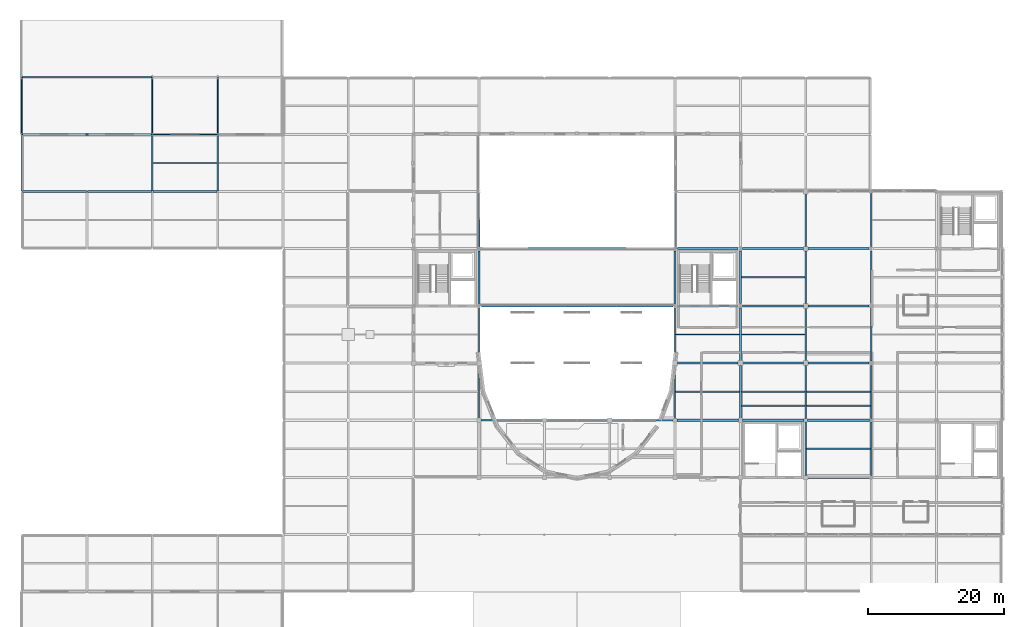
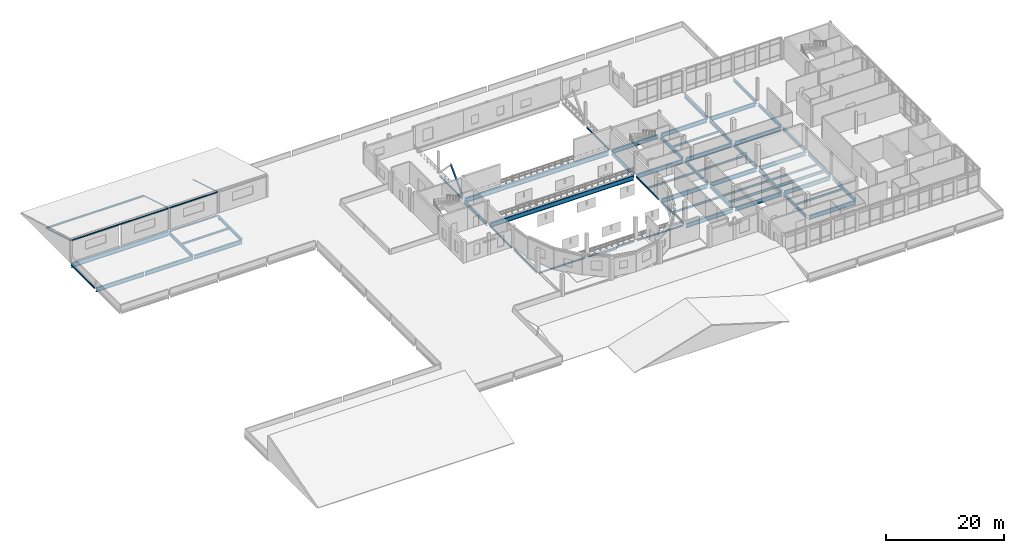
# One storey, part 15 of 52: 60 beams, 4 members.
"""IFC4 building model written with IfcOpenShell, lengths in metres."""

from ifc_helpers import new_model, si_unit, direction, frame, origin, origin_2d, place, context, subcontext, project, spatial, hollow_rectangle, i_section, extrude, material, material_profile, profile_set, type_object, element, save


model = new_model("IFC4")

# Units and contexts
model_context = context("Model", 3, precision=1e-05, world=origin(), true_north=direction((0.0, 1.0)))
body_context = subcontext(model_context, "Body", "Model", "MODEL_VIEW")
ifc_project = project(units=[si_unit("LENGTHUNIT", "METRE"), si_unit("AREAUNIT", "SQUARE_METRE"), si_unit("VOLUMEUNIT", "CUBIC_METRE"), si_unit("PLANEANGLEUNIT", "RADIAN"), si_unit("MASSUNIT", "GRAM", prefix="KILO")], contexts=[model_context])

# Site, building, storey
site_placement = place(None, origin())
site = spatial("IfcSite", under=ifc_project, at=site_placement, CompositionType="ELEMENT")
building_placement = place(site_placement, origin())
building = spatial("IfcBuilding", under=site, at=building_placement, Name="Lornevale Opera House", CompositionType="ELEMENT")
storey_placement = place(building_placement, frame((0.0, 0.0, 15.0)))
storey = spatial("IfcBuildingStorey", under=building, at=storey_placement, Name="L04", CompositionType="ELEMENT", Elevation=15.0)

# Beams
ifc_material = material(Name="Structural Steel CSA G40.21 Grade 350W (350 MPa)", Category="steel")
ifc_material_profile_1 = material_profile(ifc_material, i_section(OverallWidth=0.208984375, OverallDepth=0.532958984375, WebThickness=0.01025390625, FlangeThickness=0.015625, at=origin_2d()), Name="W530x92")
ifc_profile_set_1 = profile_set([ifc_material_profile_1], Name="Structural Steel CSA G40.21 Grade 350W (350 MPa)")
beam_type_1 = type_object("IfcBeamType", Name="Backstage Girder W530x92", PredefinedType="USERDEFINED", material=ifc_profile_set_1)
beam_1_placement = place(storey_placement, frame((105.64990234375, 44.10009765625, -0.550048828125), z_axis=(1.0, 0.0, 0.0), x_axis=(0.0, 1.0, 0.0)))
element("IfcBeam", 1, at=beam_1_placement, inside=storey, type_object=beam_type_1, Name="Backstage Girder W530x92 3054", ObjectType="GIRDER", PredefinedType="USERDEFINED", context=body_context, shape_type="SweptSolid", body=[
    extrude(i_section(OverallWidth=0.208984375, OverallDepth=0.532958984375, WebThickness=0.01025390625, FlangeThickness=0.015625, at=origin_2d()), origin(), (0.0, 0.0, 1.0), 9.420166015625),
])
ifc_material_profile_2 = material_profile(ifc_material, i_section(OverallWidth=0.22802734375, OverallDepth=0.60791015625, WebThickness=0.01123046875, FlangeThickness=0.017333984375, at=origin_2d()), Name="W610x113")
ifc_profile_set_2 = profile_set([ifc_material_profile_2], Name="Structural Steel CSA G40.21 Grade 350W (350 MPa)")
beam_type_2 = type_object("IfcBeamType", Name="Backstage Girder W610x113", PredefinedType="USERDEFINED", material=ifc_profile_set_2)
beam_2_placement = place(storey_placement, frame((115.330078125, 44.10009765625, -0.580078125), z_axis=(1.0, 0.0, 0.0), x_axis=(0.0, 1.0, 0.0)))
element("IfcBeam", 2, at=beam_2_placement, inside=storey, type_object=beam_type_2, Name="Backstage Girder W610x113 3055", ObjectType="GIRDER", PredefinedType="USERDEFINED", context=body_context, shape_type="SweptSolid", body=[
    extrude(i_section(OverallWidth=0.22802734375, OverallDepth=0.60791015625, WebThickness=0.01123046875, FlangeThickness=0.017333984375, at=origin_2d()), origin(), (0.0, 0.0, 1.0), 9.419921875),
])
ifc_material_profile_3 = material_profile(ifc_material, i_section(OverallWidth=0.1650390625, OverallDepth=0.200927734375, WebThickness=0.006103515625, FlangeThickness=0.01025390625, at=origin_2d()), Name="W200x36")
ifc_profile_set_3 = profile_set([ifc_material_profile_3], Name="Structural Steel CSA G40.21 Grade 350W (350 MPa)")
beam_type_3 = type_object("IfcBeamType", Name="Monopitch Studio Purlin W200x36", PredefinedType="JOIST", material=ifc_profile_set_3)
beam_3_placement = place(storey_placement, frame((0.050048828125, 84.0, 4.397216796875), z_axis=(1.0, 0.0, 0.0), x_axis=(0.0, 1.0, 0.0)))
element("IfcBeam", 3, at=beam_3_placement, inside=storey, type_object=beam_type_3, Name="Monopitch Studio Purlin W200x36 3024", PredefinedType="JOIST", context=body_context, shape_type="SweptSolid", body=[
    extrude(i_section(OverallWidth=0.1650390625, OverallDepth=0.200927734375, WebThickness=0.006103515625, FlangeThickness=0.01025390625, at=origin_2d()), origin(), (0.0, 0.0, 1.0), 19.099853515625),
])
beam_4_placement = place(storey_placement, frame((19.25, 84.0, 4.397216796875), z_axis=(1.0, 0.0, 0.0), x_axis=(0.0, 1.0, 0.0)))
element("IfcBeam", 4, at=beam_4_placement, inside=storey, type_object=beam_type_3, Name="Monopitch Studio Purlin W200x36 3026", PredefinedType="JOIST", context=body_context, shape_type="SweptSolid", body=[
    extrude(i_section(OverallWidth=0.1650390625, OverallDepth=0.200927734375, WebThickness=0.006103515625, FlangeThickness=0.01025390625, at=origin_2d()), origin(), (0.0, 0.0, 1.0), 9.5),
])
ifc_material_profile_4 = material_profile(ifc_material, i_section(OverallWidth=0.202880859375, OverallDepth=0.346923828125, WebThickness=0.0078125, FlangeThickness=0.013427734375, at=origin_2d()), Name="W360x64")
ifc_profile_set_4 = profile_set([ifc_material_profile_4], Name="Structural Steel CSA G40.21 Grade 350W (350 MPa)")
beam_type_4 = type_object("IfcBeamType", Name="Monopitch Studio Truss Chord W360x64", PredefinedType="BEAM", material=ifc_profile_set_4)
beam_5_placement = place(storey_placement, frame((0.050048828125, 92.39990234375, 1.8798828125), z_axis=(1.0, 0.0, 0.0), x_axis=(0.0, 1.0, 0.0)))
element("IfcBeam", 5, at=beam_5_placement, inside=storey, type_object=beam_type_4, Name="Monopitch Studio Truss Chord W360x64 3023", PredefinedType="BEAM", context=body_context, shape_type="SweptSolid", body=[
    extrude(i_section(OverallWidth=0.202880859375, OverallDepth=0.346923828125, WebThickness=0.0078125, FlangeThickness=0.013427734375, at=origin_2d()), origin(), (0.0, 0.0, 1.0), 19.099853515625),
])

# Member
ifc_material_profile_5 = material_profile(ifc_material, hollow_rectangle(XDim=0.25390625, YDim=0.25390625, WallThickness=0.0126953125, at=origin_2d()), Name="HSS254x254x13")
ifc_profile_set_5 = profile_set([ifc_material_profile_5], Name="Structural Steel CSA G40.21 Grade 350W (350 MPa)")
member_type_1 = type_object("IfcMemberType", Name="Stagehouse Lateral Brace HSS254x254x13", PredefinedType="BRACE", material=ifc_profile_set_5)
member_placement = place(storey_placement, frame((67.199951171875, 67.3994140625, 0.10009765625), z_axis=(0.0, 0.69576509682, 0.718269399353), x_axis=(-1.0, 0.0, 0.0)))
element("IfcMember", 6, at=member_placement, inside=storey, type_object=member_type_1, Name="Stagehouse Lateral Brace HSS254x254x13 0110", PredefinedType="BRACE", context=body_context, shape_type="SweptSolid", body=[
    extrude(hollow_rectangle(XDim=0.25390625, YDim=0.25390625, WallThickness=0.0126953125, at=origin_2d()), origin(), (0.0, 0.0, 1.0), 5.749755859375),
])

# Beams
ifc_material_profile_6 = material_profile(ifc_material, i_section(OverallWidth=0.299072265625, OverallDepth=0.845947265625, WebThickness=0.015380859375, FlangeThickness=0.0244140625, at=origin_2d()), Name="W840x210")
ifc_profile_set_6 = profile_set([ifc_material_profile_6], Name="Structural Steel CSA G40.21 Grade 350W (350 MPa)")
beam_type_5 = type_object("IfcBeamType", Name="Steel Clear-Span Girder W840x210", PredefinedType="USERDEFINED", material=ifc_profile_set_6)
beam_6_placement = place(storey_placement, frame((115.47509765625, 33.60009765625, -0.697998046875), z_axis=(1.0, 0.0, 0.0), x_axis=(0.0, 1.0, 0.0)))
element("IfcBeam", 7, at=beam_6_placement, inside=storey, type_object=beam_type_5, Name="Steel Clear-Span Girder W840x210 2487", ObjectType="GIRDER", PredefinedType="USERDEFINED", context=body_context, shape_type="SweptSolid", body=[
    extrude(i_section(OverallWidth=0.299072265625, OverallDepth=0.845947265625, WebThickness=0.015380859375, FlangeThickness=0.0244140625, at=origin_2d()), origin(), (0.0, 0.0, 1.0), 9.0498046875),
])
for number, where, z_axis, x_axis, name in (
    (8, (96.27490234375, 42.0, -0.72802734375), (1.0, 0.0, 0.0), (0.0, 1.0, 0.0), "Steel Clear-Span Girder W840x210 2496"),
    (9, (105.875, 42.0, -0.697998046875), (1.0, 0.0, 0.0), (0.0, 1.0, 0.0), "Steel Clear-Span Girder W840x210 2497"),
):
    element("IfcBeam", number, at=place(storey_placement, frame(where, z_axis=z_axis, x_axis=x_axis)), inside=storey, type_object=beam_type_5, Name=name, ObjectType="GIRDER", PredefinedType="USERDEFINED", context=body_context, shape_type="SweptSolid", body=[
        extrude(i_section(OverallWidth=0.299072265625, OverallDepth=0.845947265625, WebThickness=0.015380859375, FlangeThickness=0.0244140625, at=origin_2d()), origin(), (0.0, 0.0, 1.0), 9.050048828125),
    ])
beam_7_placement = place(storey_placement, frame((115.47509765625, 42.0, -0.697998046875), z_axis=(1.0, 0.0, 0.0), x_axis=(0.0, 1.0, 0.0)))
element("IfcBeam", 10, at=beam_7_placement, inside=storey, type_object=beam_type_5, Name="Steel Clear-Span Girder W840x210 2498", ObjectType="GIRDER", PredefinedType="USERDEFINED", context=body_context, shape_type="SweptSolid", body=[
    extrude(i_section(OverallWidth=0.299072265625, OverallDepth=0.845947265625, WebThickness=0.015380859375, FlangeThickness=0.0244140625, at=origin_2d()), origin(), (0.0, 0.0, 1.0), 9.0498046875),
])
for number, where, z_axis, x_axis, name in (
    (11, (96.324951171875, 50.39990234375, -0.72802734375), (1.0, 0.0, 0.0), (0.0, 1.0, 0.0), "Steel Clear-Span Girder W840x210 2504"),
    (12, (105.925048828125, 50.39990234375, -0.697998046875), (1.0, 0.0, 0.0), (0.0, 1.0, 0.0), "Steel Clear-Span Girder W840x210 2505"),
):
    element("IfcBeam", number, at=place(storey_placement, frame(where, z_axis=z_axis, x_axis=x_axis)), inside=storey, type_object=beam_type_5, Name=name, ObjectType="GIRDER", PredefinedType="USERDEFINED", context=body_context, shape_type="SweptSolid", body=[
        extrude(i_section(OverallWidth=0.299072265625, OverallDepth=0.845947265625, WebThickness=0.015380859375, FlangeThickness=0.0244140625, at=origin_2d()), origin(), (0.0, 0.0, 1.0), 8.949951171875),
    ])
beam_8_placement = place(storey_placement, frame((115.52490234375, 50.39990234375, -0.697998046875), z_axis=(1.0, 0.0, 0.0), x_axis=(0.0, 1.0, 0.0)))
element("IfcBeam", 13, at=beam_8_placement, inside=storey, type_object=beam_type_5, Name="Steel Clear-Span Girder W840x210 2506", ObjectType="GIRDER", PredefinedType="USERDEFINED", context=body_context, shape_type="SweptSolid", body=[
    extrude(i_section(OverallWidth=0.299072265625, OverallDepth=0.845947265625, WebThickness=0.015380859375, FlangeThickness=0.0244140625, at=origin_2d()), origin(), (0.0, 0.0, 1.0), 8.9501953125),
])
for number, where, z_axis, x_axis, name in (
    (14, (96.324951171875, 58.800048828125, -0.72802734375), (1.0, 0.0, 0.0), (0.0, 1.0, 0.0), "Steel Clear-Span Girder W840x210 2513"),
    (15, (105.925048828125, 58.800048828125, -0.697998046875), (1.0, 0.0, 0.0), (0.0, 1.0, 0.0), "Steel Clear-Span Girder W840x210 2514"),
):
    element("IfcBeam", number, at=place(storey_placement, frame(where, z_axis=z_axis, x_axis=x_axis)), inside=storey, type_object=beam_type_5, Name=name, ObjectType="GIRDER", PredefinedType="USERDEFINED", context=body_context, shape_type="SweptSolid", body=[
        extrude(i_section(OverallWidth=0.299072265625, OverallDepth=0.845947265625, WebThickness=0.015380859375, FlangeThickness=0.0244140625, at=origin_2d()), origin(), (0.0, 0.0, 1.0), 8.949951171875),
    ])
beam_9_placement = place(storey_placement, frame((115.52490234375, 58.800048828125, -0.697998046875), z_axis=(1.0, 0.0, 0.0), x_axis=(0.0, 1.0, 0.0)))
element("IfcBeam", 16, at=beam_9_placement, inside=storey, type_object=beam_type_5, Name="Steel Clear-Span Girder W840x210 2515", ObjectType="GIRDER", PredefinedType="USERDEFINED", context=body_context, shape_type="SweptSolid", body=[
    extrude(i_section(OverallWidth=0.299072265625, OverallDepth=0.845947265625, WebThickness=0.015380859375, FlangeThickness=0.0244140625, at=origin_2d()), origin(), (0.0, 0.0, 1.0), 8.9501953125),
])
for number, where, z_axis, x_axis, name in (
    (17, (96.324951171875, 67.199951171875, -0.697998046875), (1.0, 0.0, 0.0), (0.0, 1.0, 0.0), "Steel Clear-Span Girder W840x210 2526"),
    (18, (105.925048828125, 67.199951171875, -0.697998046875), (1.0, 0.0, 0.0), (0.0, 1.0, 0.0), "Steel Clear-Span Girder W840x210 2527"),
):
    element("IfcBeam", number, at=place(storey_placement, frame(where, z_axis=z_axis, x_axis=x_axis)), inside=storey, type_object=beam_type_5, Name=name, ObjectType="GIRDER", PredefinedType="USERDEFINED", context=body_context, shape_type="SweptSolid", body=[
        extrude(i_section(OverallWidth=0.299072265625, OverallDepth=0.845947265625, WebThickness=0.015380859375, FlangeThickness=0.0244140625, at=origin_2d()), origin(), (0.0, 0.0, 1.0), 8.949951171875),
    ])
beam_10_placement = place(storey_placement, frame((115.52490234375, 67.199951171875, -0.697998046875), z_axis=(1.0, 0.0, 0.0), x_axis=(0.0, 1.0, 0.0)))
element("IfcBeam", 19, at=beam_10_placement, inside=storey, type_object=beam_type_5, Name="Steel Clear-Span Girder W840x210 2528", ObjectType="GIRDER", PredefinedType="USERDEFINED", context=body_context, shape_type="SweptSolid", body=[
    extrude(i_section(OverallWidth=0.299072265625, OverallDepth=0.845947265625, WebThickness=0.015380859375, FlangeThickness=0.0244140625, at=origin_2d()), origin(), (0.0, 0.0, 1.0), 8.9501953125),
])
beam_11_placement = place(storey_placement, frame((0.1044921875, 75.60009765625, -0.72802734375), z_axis=(1.0, 0.0, 0.0), x_axis=(0.0, 1.0, 0.0)))
element("IfcBeam", 20, at=beam_11_placement, inside=storey, type_object=beam_type_5, Name="Steel Clear-Span Girder W840x210 2531", ObjectType="GIRDER", PredefinedType="USERDEFINED", context=body_context, shape_type="SweptSolid", body=[
    extrude(i_section(OverallWidth=0.299072265625, OverallDepth=0.845947265625, WebThickness=0.015380859375, FlangeThickness=0.0244140625, at=origin_2d()), origin(), (0.0, 0.0, 1.0), 9.39111328125),
])
beam_12_placement = place(storey_placement, frame((9.70458984375, 75.60009765625, -0.72802734375), z_axis=(1.0, 0.0, 0.0), x_axis=(0.0, 1.0, 0.0)))
element("IfcBeam", 21, at=beam_12_placement, inside=storey, type_object=beam_type_5, Name="Steel Clear-Span Girder W840x210 2532", ObjectType="GIRDER", PredefinedType="USERDEFINED", context=body_context, shape_type="SweptSolid", body=[
    extrude(i_section(OverallWidth=0.299072265625, OverallDepth=0.845947265625, WebThickness=0.015380859375, FlangeThickness=0.0244140625, at=origin_2d()), origin(), (0.0, 0.0, 1.0), 9.390869140625),
])
beam_13_placement = place(storey_placement, frame((19.304443359375, 75.60009765625, -0.72802734375), z_axis=(1.0, 0.0, 0.0), x_axis=(0.0, 1.0, 0.0)))
element("IfcBeam", 22, at=beam_13_placement, inside=storey, type_object=beam_type_5, Name="Steel Clear-Span Girder W840x210 2533", ObjectType="GIRDER", PredefinedType="USERDEFINED", context=body_context, shape_type="SweptSolid", body=[
    extrude(i_section(OverallWidth=0.299072265625, OverallDepth=0.845947265625, WebThickness=0.015380859375, FlangeThickness=0.0244140625, at=origin_2d()), origin(), (0.0, 0.0, 1.0), 9.39111328125),
])
ifc_material_profile_7 = material_profile(ifc_material, i_section(OverallWidth=0.179931640625, OverallDepth=0.4130859375, WebThickness=0.009765625, FlangeThickness=0.01611328125, at=origin_2d()), Name="W410x74")
ifc_profile_set_7 = profile_set([ifc_material_profile_7], Name="Structural Steel CSA G40.21 Grade 350W (350 MPa)")
beam_type_6 = type_object("IfcBeamType", Name="Steel Floor Joist W410x74", PredefinedType="JOIST", material=ifc_profile_set_7)
beam_14_placement = place(storey_placement, frame((19.326904296875, 79.800048828125, -0.511474609375), z_axis=(1.0, 0.0, 0.0), x_axis=(0.0, 1.0, 0.0)))
element("IfcBeam", 23, at=beam_14_placement, inside=storey, type_object=beam_type_6, Name="Steel Floor Joist W410x74 2659", PredefinedType="JOIST", context=body_context, shape_type="SweptSolid", body=[
    extrude(i_section(OverallWidth=0.179931640625, OverallDepth=0.4130859375, WebThickness=0.009765625, FlangeThickness=0.01611328125, at=origin_2d()), origin(), (0.0, 0.0, 1.0), 9.34619140625),
])
for number, where, z_axis, x_axis, name in (
    (24, (96.08349609375, 46.199951171875, -0.511474609375), (1.0, 0.0, 0.0), (0.0, 1.0, 0.0), "Steel Floor Joist W410x74 2686"),
    (25, (96.08349609375, 54.60009765625, -0.511474609375), (1.0, 0.0, 0.0), (0.0, 1.0, 0.0), "Steel Floor Joist W410x74 2687"),
):
    element("IfcBeam", number, at=place(storey_placement, frame(where, z_axis=z_axis, x_axis=x_axis)), inside=storey, type_object=beam_type_6, Name=name, PredefinedType="JOIST", context=body_context, shape_type="SweptSolid", body=[
        extrude(i_section(OverallWidth=0.179931640625, OverallDepth=0.4130859375, WebThickness=0.009765625, FlangeThickness=0.01611328125, at=origin_2d()), origin(), (0.0, 0.0, 1.0), 9.389404296875),
    ])
for number, where, z_axis, x_axis, name in (
    (26, (105.72705078125, 46.199951171875, -0.4814453125), (1.0, 0.0, 0.0), (0.0, 1.0, 0.0), "Steel Floor Joist W410x74 2691"),
    (27, (105.72705078125, 54.60009765625, -0.4814453125), (1.0, 0.0, 0.0), (0.0, 1.0, 0.0), "Steel Floor Joist W410x74 2692"),
    (28, (105.72705078125, 63.0, -0.4814453125), (1.0, 0.0, 0.0), (0.0, 1.0, 0.0), "Steel Floor Joist W410x74 2693"),
):
    element("IfcBeam", number, at=place(storey_placement, frame(where, z_axis=z_axis, x_axis=x_axis)), inside=storey, type_object=beam_type_6, Name=name, PredefinedType="JOIST", context=body_context, shape_type="SweptSolid", body=[
        extrude(i_section(OverallWidth=0.179931640625, OverallDepth=0.4130859375, WebThickness=0.009765625, FlangeThickness=0.01611328125, at=origin_2d()), origin(), (0.0, 0.0, 1.0), 9.345947265625),
    ])
for number, where, z_axis, x_axis, name in (
    (29, (115.326904296875, 37.800048828125, -0.4814453125), (1.0, 0.0, 0.0), (0.0, 1.0, 0.0), "Steel Floor Joist W410x74 2697"),
    (30, (115.326904296875, 46.199951171875, -0.4814453125), (1.0, 0.0, 0.0), (0.0, 1.0, 0.0), "Steel Floor Joist W410x74 2698"),
):
    element("IfcBeam", number, at=place(storey_placement, frame(where, z_axis=z_axis, x_axis=x_axis)), inside=storey, type_object=beam_type_6, Name=name, PredefinedType="JOIST", context=body_context, shape_type="SweptSolid", body=[
        extrude(i_section(OverallWidth=0.179931640625, OverallDepth=0.4130859375, WebThickness=0.009765625, FlangeThickness=0.01611328125, at=origin_2d()), origin(), (0.0, 0.0, 1.0), 9.34619140625),
    ])
ifc_material_profile_8 = material_profile(ifc_material, i_section(OverallWidth=0.25390625, OverallDepth=0.68798828125, WebThickness=0.01318359375, FlangeThickness=0.02099609375, at=origin_2d()), Name="W690x152")
ifc_profile_set_8 = profile_set([ifc_material_profile_8], Name="Structural Steel CSA G40.21 Grade 350W (350 MPa)")
beam_type_7 = type_object("IfcBeamType", Name="Steel Foyer Beam W690x152", PredefinedType="USERDEFINED", material=ifc_profile_set_8)
for number, where, z_axis, x_axis, name in (
    (31, (19.199951171875, 75.71142578125, -0.64892578125), (0.0, 1.0, 0.0), (-1.0, 0.0, 0.0), "Steel Foyer Beam W690x152 2567"),
    (32, (28.800048828125, 75.71142578125, -0.64892578125), (0.0, 1.0, 0.0), (-1.0, 0.0, 0.0), "Steel Foyer Beam W690x152 2570"),
):
    element("IfcBeam", number, at=place(storey_placement, frame(where, z_axis=z_axis, x_axis=x_axis)), inside=storey, type_object=beam_type_7, Name=name, ObjectType="GIRDER", PredefinedType="USERDEFINED", context=body_context, shape_type="SweptSolid", body=[
        extrude(i_section(OverallWidth=0.25390625, OverallDepth=0.68798828125, WebThickness=0.01318359375, FlangeThickness=0.02099609375, at=origin_2d()), origin(), (0.0, 0.0, 1.0), 8.177001953125),
    ])
for number, where, z_axis, x_axis, name in (
    (33, (67.199951171875, 59.125, -0.64892578125), (0.0, 1.0, 0.0), (-1.0, 0.0, 0.0), "Steel Foyer Beam W690x152 2600"),
    (34, (96.0, 59.125, -0.64892578125), (0.0, 1.0, 0.0), (-1.0, 0.0, 0.0), "Steel Foyer Beam W690x152 2609"),
):
    element("IfcBeam", number, at=place(storey_placement, frame(where, z_axis=z_axis, x_axis=x_axis)), inside=storey, type_object=beam_type_7, Name=name, ObjectType="GIRDER", PredefinedType="USERDEFINED", context=body_context, shape_type="SweptSolid", body=[
        extrude(i_section(OverallWidth=0.25390625, OverallDepth=0.68798828125, WebThickness=0.01318359375, FlangeThickness=0.02099609375, at=origin_2d()), origin(), (0.0, 0.0, 1.0), 7.75),
    ])
beam_15_placement = place(storey_placement, frame((105.60009765625, 42.27490234375, -0.618896484375), z_axis=(0.0, 1.0, 0.0), x_axis=(-1.0, 0.0, 0.0)))
element("IfcBeam", 35, at=beam_15_placement, inside=storey, type_object=beam_type_7, Name="Steel Foyer Beam W690x152 2616", ObjectType="GIRDER", PredefinedType="USERDEFINED", context=body_context, shape_type="SweptSolid", body=[
    extrude(i_section(OverallWidth=0.25390625, OverallDepth=0.68798828125, WebThickness=0.01318359375, FlangeThickness=0.02099609375, at=origin_2d()), origin(), (0.0, 0.0, 1.0), 7.800048828125),
])
for number, where, z_axis, x_axis, name in (
    (36, (105.60009765625, 50.72509765625, -0.618896484375), (0.0, 1.0, 0.0), (-1.0, 0.0, 0.0), "Steel Foyer Beam W690x152 2617"),
    (37, (105.60009765625, 59.125, -0.618896484375), (0.0, 1.0, 0.0), (-1.0, 0.0, 0.0), "Steel Foyer Beam W690x152 2618"),
):
    element("IfcBeam", number, at=place(storey_placement, frame(where, z_axis=z_axis, x_axis=x_axis)), inside=storey, type_object=beam_type_7, Name=name, ObjectType="GIRDER", PredefinedType="USERDEFINED", context=body_context, shape_type="SweptSolid", body=[
        extrude(i_section(OverallWidth=0.25390625, OverallDepth=0.68798828125, WebThickness=0.01318359375, FlangeThickness=0.02099609375, at=origin_2d()), origin(), (0.0, 0.0, 1.0), 7.75),
    ])
beam_16_placement = place(storey_placement, frame((115.199951171875, 33.875, -0.618896484375), z_axis=(0.0, 1.0, 0.0), x_axis=(-1.0, 0.0, 0.0)))
element("IfcBeam", 38, at=beam_16_placement, inside=storey, type_object=beam_type_7, Name="Steel Foyer Beam W690x152 2623", ObjectType="GIRDER", PredefinedType="USERDEFINED", context=body_context, shape_type="SweptSolid", body=[
    extrude(i_section(OverallWidth=0.25390625, OverallDepth=0.68798828125, WebThickness=0.01318359375, FlangeThickness=0.02099609375, at=origin_2d()), origin(), (0.0, 0.0, 1.0), 7.85009765625),
])
beam_17_placement = place(storey_placement, frame((115.199951171875, 42.27490234375, -0.618896484375), z_axis=(0.0, 1.0, 0.0), x_axis=(-1.0, 0.0, 0.0)))
element("IfcBeam", 39, at=beam_17_placement, inside=storey, type_object=beam_type_7, Name="Steel Foyer Beam W690x152 2624", ObjectType="GIRDER", PredefinedType="USERDEFINED", context=body_context, shape_type="SweptSolid", body=[
    extrude(i_section(OverallWidth=0.25390625, OverallDepth=0.68798828125, WebThickness=0.01318359375, FlangeThickness=0.02099609375, at=origin_2d()), origin(), (0.0, 0.0, 1.0), 7.800048828125),
])
for number, where, z_axis, x_axis, name in (
    (40, (115.199951171875, 50.72509765625, -0.618896484375), (0.0, 1.0, 0.0), (-1.0, 0.0, 0.0), "Steel Foyer Beam W690x152 2625"),
    (41, (115.199951171875, 59.125, -0.618896484375), (0.0, 1.0, 0.0), (-1.0, 0.0, 0.0), "Steel Foyer Beam W690x152 2626"),
    (42, (115.199951171875, 67.52490234375, -0.64892578125), (0.0, 1.0, 0.0), (-1.0, 0.0, 0.0), "Steel Foyer Beam W690x152 2627"),
):
    element("IfcBeam", number, at=place(storey_placement, frame(where, z_axis=z_axis, x_axis=x_axis)), inside=storey, type_object=beam_type_7, Name=name, ObjectType="GIRDER", PredefinedType="USERDEFINED", context=body_context, shape_type="SweptSolid", body=[
        extrude(i_section(OverallWidth=0.25390625, OverallDepth=0.68798828125, WebThickness=0.01318359375, FlangeThickness=0.02099609375, at=origin_2d()), origin(), (0.0, 0.0, 1.0), 7.75),
    ])
beam_18_placement = place(storey_placement, frame((124.800048828125, 33.875, -0.618896484375), z_axis=(0.0, 1.0, 0.0), x_axis=(-1.0, 0.0, 0.0)))
element("IfcBeam", 43, at=beam_18_placement, inside=storey, type_object=beam_type_7, Name="Steel Foyer Beam W690x152 2632", ObjectType="GIRDER", PredefinedType="USERDEFINED", context=body_context, shape_type="SweptSolid", body=[
    extrude(i_section(OverallWidth=0.25390625, OverallDepth=0.68798828125, WebThickness=0.01318359375, FlangeThickness=0.02099609375, at=origin_2d()), origin(), (0.0, 0.0, 1.0), 7.85009765625),
])
beam_19_placement = place(storey_placement, frame((124.800048828125, 42.27490234375, -0.618896484375), z_axis=(0.0, 1.0, 0.0), x_axis=(-1.0, 0.0, 0.0)))
element("IfcBeam", 44, at=beam_19_placement, inside=storey, type_object=beam_type_7, Name="Steel Foyer Beam W690x152 2633", ObjectType="GIRDER", PredefinedType="USERDEFINED", context=body_context, shape_type="SweptSolid", body=[
    extrude(i_section(OverallWidth=0.25390625, OverallDepth=0.68798828125, WebThickness=0.01318359375, FlangeThickness=0.02099609375, at=origin_2d()), origin(), (0.0, 0.0, 1.0), 7.800048828125),
])
for number, where, z_axis, x_axis, name in (
    (45, (124.800048828125, 50.72509765625, -0.618896484375), (0.0, 1.0, 0.0), (-1.0, 0.0, 0.0), "Steel Foyer Beam W690x152 2634"),
    (46, (124.800048828125, 59.125, -0.618896484375), (0.0, 1.0, 0.0), (-1.0, 0.0, 0.0), "Steel Foyer Beam W690x152 2635"),
):
    element("IfcBeam", number, at=place(storey_placement, frame(where, z_axis=z_axis, x_axis=x_axis)), inside=storey, type_object=beam_type_7, Name=name, ObjectType="GIRDER", PredefinedType="USERDEFINED", context=body_context, shape_type="SweptSolid", body=[
        extrude(i_section(OverallWidth=0.25390625, OverallDepth=0.68798828125, WebThickness=0.01318359375, FlangeThickness=0.02099609375, at=origin_2d()), origin(), (0.0, 0.0, 1.0), 7.75),
    ])
beam_20_placement = place(storey_placement, frame((124.800048828125, 67.52490234375, -0.64892578125), z_axis=(0.0, 1.0, 0.0), x_axis=(-1.0, 0.0, 0.0)))
element("IfcBeam", 47, at=beam_20_placement, inside=storey, type_object=beam_type_7, Name="Steel Foyer Beam W690x152 2636", ObjectType="GIRDER", PredefinedType="USERDEFINED", context=body_context, shape_type="SweptSolid", body=[
    extrude(i_section(OverallWidth=0.25390625, OverallDepth=0.68798828125, WebThickness=0.01318359375, FlangeThickness=0.02099609375, at=origin_2d()), origin(), (0.0, 0.0, 1.0), 7.775146484375),
])
ifc_material_profile_9 = material_profile(ifc_material, i_section(OverallWidth=0.1669921875, OverallDepth=0.31689453125, WebThickness=0.007568359375, FlangeThickness=0.01318359375, at=origin_2d()), Name="W310x52")
ifc_profile_set_9 = profile_set([ifc_material_profile_9], Name="Structural Steel CSA G40.21 Grade 350W (350 MPa)")
beam_type_8 = type_object("IfcBeamType", Name="Steel Spandrel Beam W310x52", PredefinedType="SPANDREL", material=ifc_profile_set_9)
beam_21_placement = place(storey_placement, frame((67.47509765625, 42.0, -0.46337890625), z_axis=(1.0, 0.0, 0.0), x_axis=(0.0, 1.0, 0.0)))
element("IfcBeam", 48, at=beam_21_placement, inside=storey, type_object=beam_type_8, Name="Steel Spandrel Beam W310x52 2493", PredefinedType="SPANDREL", context=body_context, shape_type="SweptSolid", body=[
    extrude(i_section(OverallWidth=0.1669921875, OverallDepth=0.31689453125, WebThickness=0.007568359375, FlangeThickness=0.01318359375, at=origin_2d()), origin(), (0.0, 0.0, 1.0), 9.0498046875),
])
for number, where, z_axis, x_axis, name in (
    (49, (77.074951171875, 42.0, -0.46337890625), (1.0, 0.0, 0.0), (0.0, 1.0, 0.0), "Steel Spandrel Beam W310x52 2494"),
    (50, (86.675048828125, 42.0, -0.46337890625), (1.0, 0.0, 0.0), (0.0, 1.0, 0.0), "Steel Spandrel Beam W310x52 2495"),
):
    element("IfcBeam", number, at=place(storey_placement, frame(where, z_axis=z_axis, x_axis=x_axis)), inside=storey, type_object=beam_type_8, Name=name, PredefinedType="SPANDREL", context=body_context, shape_type="SweptSolid", body=[
        extrude(i_section(OverallWidth=0.1669921875, OverallDepth=0.31689453125, WebThickness=0.007568359375, FlangeThickness=0.01318359375, at=origin_2d()), origin(), (0.0, 0.0, 1.0), 9.050048828125),
    ])
beam_22_placement = place(storey_placement, frame((19.304443359375, 84.0, -0.46337890625), z_axis=(1.0, 0.0, 0.0), x_axis=(0.0, 1.0, 0.0)))
element("IfcBeam", 51, at=beam_22_placement, inside=storey, type_object=beam_type_8, Name="Steel Spandrel Beam W310x52 2542", PredefinedType="SPANDREL", context=body_context, shape_type="SweptSolid", body=[
    extrude(i_section(OverallWidth=0.1669921875, OverallDepth=0.31689453125, WebThickness=0.007568359375, FlangeThickness=0.01318359375, at=origin_2d()), origin(), (0.0, 0.0, 1.0), 9.39111328125),
])
beam_23_placement = place(storey_placement, frame((0.0, 75.71142578125, -0.46337890625), z_axis=(0.0, 1.0, 0.0), x_axis=(-1.0, 0.0, 0.0)))
element("IfcBeam", 52, at=beam_23_placement, inside=storey, type_object=beam_type_8, Name="Steel Spandrel Beam W310x52 2562", PredefinedType="SPANDREL", context=body_context, shape_type="SweptSolid", body=[
    extrude(i_section(OverallWidth=0.1669921875, OverallDepth=0.31689453125, WebThickness=0.007568359375, FlangeThickness=0.01318359375, at=origin_2d()), origin(), (0.0, 0.0, 1.0), 8.177001953125),
])
beam_24_placement = place(storey_placement, frame((67.199951171875, 42.27490234375, -0.46337890625), z_axis=(0.0, 1.0, 0.0), x_axis=(-1.0, 0.0, 0.0)))
element("IfcBeam", 53, at=beam_24_placement, inside=storey, type_object=beam_type_8, Name="Steel Spandrel Beam W310x52 2598", PredefinedType="SPANDREL", context=body_context, shape_type="SweptSolid", body=[
    extrude(i_section(OverallWidth=0.1669921875, OverallDepth=0.31689453125, WebThickness=0.007568359375, FlangeThickness=0.01318359375, at=origin_2d()), origin(), (0.0, 0.0, 1.0), 7.8251953125),
])
beam_25_placement = place(storey_placement, frame((67.199951171875, 50.699951171875, -0.46337890625), z_axis=(0.0, 1.0, 0.0), x_axis=(-1.0, 0.0, 0.0)))
element("IfcBeam", 54, at=beam_25_placement, inside=storey, type_object=beam_type_8, Name="Steel Spandrel Beam W310x52 2599", PredefinedType="SPANDREL", context=body_context, shape_type="SweptSolid", body=[
    extrude(i_section(OverallWidth=0.1669921875, OverallDepth=0.31689453125, WebThickness=0.007568359375, FlangeThickness=0.01318359375, at=origin_2d()), origin(), (0.0, 0.0, 1.0), 7.775146484375),
])
beam_26_placement = place(storey_placement, frame((67.199951171875, 67.52490234375, -0.43359375), z_axis=(0.0, 1.0, 0.0), x_axis=(-1.0, 0.0, 0.0)))
element("IfcBeam", 55, at=beam_26_placement, inside=storey, type_object=beam_type_8, Name="Steel Spandrel Beam W310x52 2601", PredefinedType="SPANDREL", context=body_context, shape_type="SweptSolid", body=[
    extrude(i_section(OverallWidth=0.1669921875, OverallDepth=0.31689453125, WebThickness=0.007568359375, FlangeThickness=0.01318359375, at=origin_2d()), origin(), (0.0, 0.0, 1.0), 7.75),
])
beam_27_placement = place(storey_placement, frame((96.0, 42.27490234375, -0.46337890625), z_axis=(0.0, 1.0, 0.0), x_axis=(-1.0, 0.0, 0.0)))
element("IfcBeam", 56, at=beam_27_placement, inside=storey, type_object=beam_type_8, Name="Steel Spandrel Beam W310x52 2607", PredefinedType="SPANDREL", context=body_context, shape_type="SweptSolid", body=[
    extrude(i_section(OverallWidth=0.1669921875, OverallDepth=0.31689453125, WebThickness=0.007568359375, FlangeThickness=0.01318359375, at=origin_2d()), origin(), (0.0, 0.0, 1.0), 7.800048828125),
])
for number, where, z_axis, x_axis, name in (
    (57, (96.0, 50.72509765625, -0.46337890625), (0.0, 1.0, 0.0), (-1.0, 0.0, 0.0), "Steel Spandrel Beam W310x52 2608"),
    (58, (96.0, 67.52490234375, -0.43359375), (0.0, 1.0, 0.0), (-1.0, 0.0, 0.0), "Steel Spandrel Beam W310x52 2610"),
):
    element("IfcBeam", number, at=place(storey_placement, frame(where, z_axis=z_axis, x_axis=x_axis)), inside=storey, type_object=beam_type_8, Name=name, PredefinedType="SPANDREL", context=body_context, shape_type="SweptSolid", body=[
        extrude(i_section(OverallWidth=0.1669921875, OverallDepth=0.31689453125, WebThickness=0.007568359375, FlangeThickness=0.01318359375, at=origin_2d()), origin(), (0.0, 0.0, 1.0), 7.75),
    ])
ifc_material_profile_10 = material_profile(ifc_material, i_section(OverallWidth=0.305908203125, OverallDepth=0.9189453125, WebThickness=0.017333984375, FlangeThickness=0.02783203125, at=origin_2d()), Name="W920x253")
ifc_profile_set_10 = profile_set([ifc_material_profile_10], Name="Structural Steel CSA G40.21 Grade 350W (350 MPa)")
beam_type_9 = type_object("IfcBeamType", Name="Steel Stagehouse Girder W920x253", PredefinedType="USERDEFINED", material=ifc_profile_set_10)
for number, where, z_axis, x_axis, name in (
    (59, (67.52490234375, 58.800048828125, -0.764404296875), (1.0, 0.0, 0.0), (0.0, 1.0, 0.0), "Steel Stagehouse Girder W920x253 2512"),
    (60, (67.52490234375, 67.199951171875, -0.734619140625), (1.0, 0.0, 0.0), (0.0, 1.0, 0.0), "Steel Stagehouse Girder W920x253 2525"),
):
    element("IfcBeam", number, at=place(storey_placement, frame(where, z_axis=z_axis, x_axis=x_axis)), inside=storey, type_object=beam_type_9, Name=name, ObjectType="GIRDER", PredefinedType="USERDEFINED", context=body_context, shape_type="SweptSolid", body=[
        extrude(i_section(OverallWidth=0.305908203125, OverallDepth=0.9189453125, WebThickness=0.017333984375, FlangeThickness=0.02783203125, at=origin_2d()), origin(), (0.0, 0.0, 1.0), 28.150146484375),
    ])
beam_28_placement = place(storey_placement, frame((0.1044921875, 84.0, -0.764404296875), z_axis=(1.0, 0.0, 0.0), x_axis=(0.0, 1.0, 0.0)))
element("IfcBeam", 61, at=beam_28_placement, inside=storey, type_object=beam_type_9, Name="Steel Stagehouse Girder W920x253 2541", ObjectType="GIRDER", PredefinedType="USERDEFINED", context=body_context, shape_type="SweptSolid", body=[
    extrude(i_section(OverallWidth=0.305908203125, OverallDepth=0.9189453125, WebThickness=0.017333984375, FlangeThickness=0.02783203125, at=origin_2d()), origin(), (0.0, 0.0, 1.0), 18.990966796875),
])

# Members
ifc_material_profile_11 = material_profile(ifc_material, hollow_rectangle(XDim=0.152099609375, YDim=0.152099609375, WallThickness=0.009521484375, at=origin_2d()), Name="HSS152x152x10")
ifc_profile_set_11 = profile_set([ifc_material_profile_11], Name="Structural Steel CSA G40.21 Grade 350W (350 MPa)")
member_type_2 = type_object("IfcMemberType", Name="Studio Truss Web HSS152x152x10", PredefinedType="STRUT", material=ifc_profile_set_11)
for number, where, z_axis, x_axis, name in (
    (62, (0.0, 92.39990234375, 1.8798828125), (0.0, -0.957909003229, 0.287072014541), (1.0, 0.0, 0.0), "Studio Truss Web HSS152x152x10 0100"),
    (63, (19.199951171875, 92.39990234375, 1.8798828125), (0.0, -0.957909003229, 0.287072014541), (1.0, 0.0, 0.0), "Studio Truss Web HSS152x152x10 0101"),
    (64, (28.800048828125, 92.39990234375, 1.8798828125), (0.0, -0.957909003229, 0.287072014541), (1.0, 0.0, 0.0), "Studio Truss Web HSS152x152x10 0102"),
):
    element("IfcMember", number, at=place(storey_placement, frame(where, z_axis=z_axis, x_axis=x_axis)), inside=storey, type_object=member_type_2, Name=name, PredefinedType="STRUT", context=body_context, shape_type="SweptSolid", body=[
        extrude(hollow_rectangle(XDim=0.152099609375, YDim=0.152099609375, WallThickness=0.009521484375, at=origin_2d()), origin(), (0.0, 0.0, 1.0), 8.76904296875),
    ])

save(model, "model.ifc")
